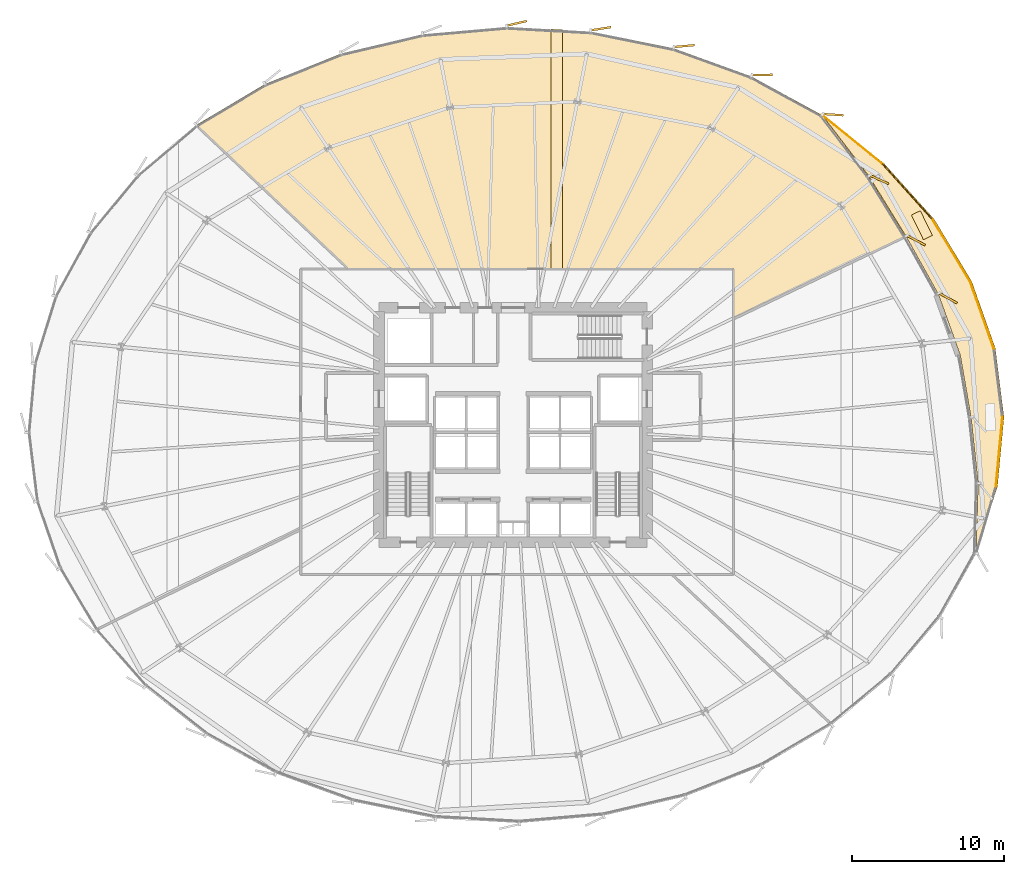
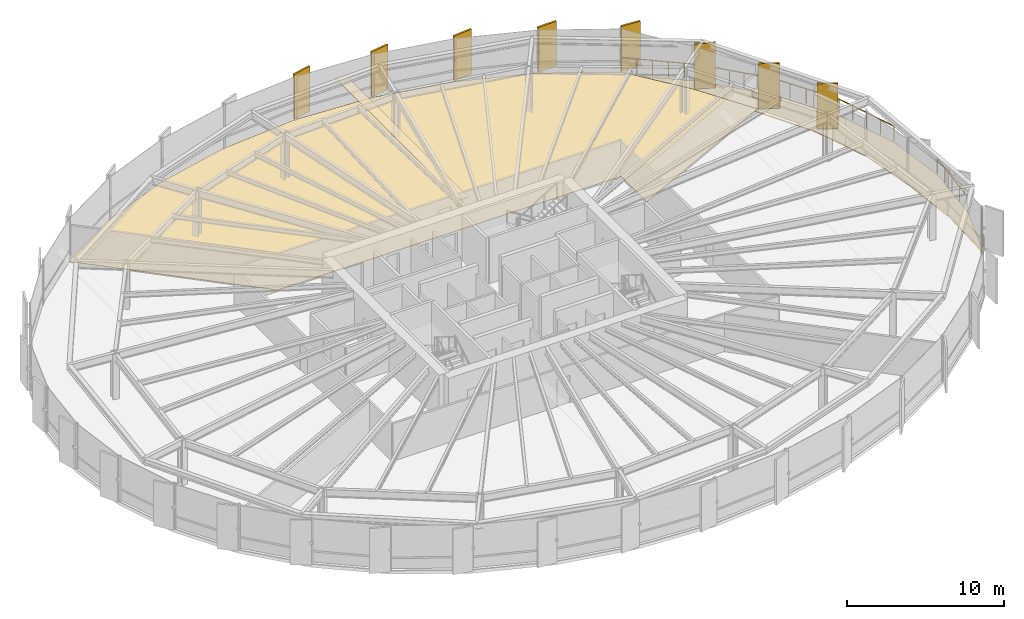
# One storey, part 39 of 39: 12 coverings, 5 railings.
"""IFC4 building model written with IfcOpenShell, lengths in metres."""

from ifc_helpers import new_model, si_unit, direction, frame, origin, origin_2d, place, context, subcontext, project, spatial, polyline, rectangle, circle, outline, extrude, source, transform, mapped, material, layer, layer_set, type_object, element, save


model = new_model("IFC4")

# Units and contexts
model_context = context("Model", 3, precision=1e-05, world=origin(), true_north=direction((0.0, 1.0)))
body_context = subcontext(model_context, "Body", "Model", "MODEL_VIEW")
ifc_project = project(units=[si_unit("LENGTHUNIT", "METRE"), si_unit("AREAUNIT", "SQUARE_METRE"), si_unit("VOLUMEUNIT", "CUBIC_METRE"), si_unit("PLANEANGLEUNIT", "RADIAN"), si_unit("MASSUNIT", "GRAM", prefix="KILO"), si_unit("THERMODYNAMICTEMPERATUREUNIT", "KELVIN")], contexts=[model_context])

# Site, building, storey
site_placement = place(None, origin())
site = spatial("IfcSite", under=ifc_project, at=site_placement, CompositionType="ELEMENT")
building_placement = place(site_placement, origin())
building = spatial("IfcBuilding", under=site, at=building_placement, Name="Kethvar Cultural Tower", CompositionType="ELEMENT")
storey_placement = place(building_placement, frame((0.0, 0.0, 33.39990234375)))
storey = spatial("IfcBuildingStorey", under=building, at=storey_placement, Name="L07", CompositionType="ELEMENT", Elevation=33.39990234375)

# Coverings
ifc_material_1 = material(Name="Acoustic Mineral Fibre Ceiling")
ifc_layer_1 = layer(ifc_material_1, 0.0400390625, Name="Acoustic Mineral Fibre Ceiling")
ifc_layer_set_1 = layer_set([ifc_layer_1], Name="Acoustic Mineral Fibre Ceiling (40 mm)")
covering_type_1 = type_object("IfcCoveringType", Name="CV-ACOUSTIC-CEIL", PredefinedType="CEILING", material=ifc_layer_set_1)
covering_1_placement = place(storey_placement, frame((0.0, 0.0, 2.340087890625)))
element("IfcCovering", 1, at=covering_1_placement, inside=storey, type_object=covering_type_1, Name="L07 Room 03 Acoustic Ceiling Panel", PredefinedType="CEILING", context=body_context, shape_type="SweptSolid", body=[
    extrude(outline(polyline([(50.0341796875, 53.75439453125), (50.0341796875, 38.02001953125), (49.2841796875, 38.02001953125), (49.2841796875, 53.79638671875), (50.0341796875, 53.75439453125)])), origin(), (0.0, 0.0, 1.0), 0.0400390625),
])
ifc_material_2 = material(Name="Architectural Oak Timber", Category="wood")
ifc_layer_2 = layer(ifc_material_2, 0.02490234375, Name="Architectural Oak Timber", Category="wood")
ifc_layer_set_2 = layer_set([ifc_layer_2], Name="Architectural Oak Timber (25 mm)")
covering_type_2 = type_object("IfcCoveringType", Name="CV-OAK-FLOOR", PredefinedType="FLOORING", material=ifc_layer_set_2)
covering_2_placement = place(storey_placement, origin())
element("IfcCovering", 2, at=covering_2_placement, inside=storey, type_object=covering_type_2, Name="L07 Room 03 Floor Finish", PredefinedType="FLOORING", context=body_context, shape_type="SweptSolid", body=[
    extrude(outline(polyline([(26.023681640625, 47.497314453125), (30.510986328125, 50.167724609375), (35.51513671875, 52.17138671875), (40.8623046875, 53.43408203125), (46.3896484375, 53.91796875), (51.93408203125, 53.608154296875), (57.337890625, 52.51416015625), (62.440185546875, 50.669189453125), (67.0830078125, 48.131103515625), (70.147216796875, 44.130126953125), (72.56787109375, 40.20458984375), (61.2900390625, 34.78515625), (61.27197265625, 38.059814453125), (35.99169921875, 38.06005859375), (26.023681640625, 47.497314453125)])), origin(), (0.0, 0.0, 1.0), 0.025146484375),
])
ifc_material_3 = material(Name="Insulated Waterproofing Membrane")
ifc_layer_3 = layer(ifc_material_3, 0.06005859375, Name="Insulated Waterproofing Membrane")
ifc_layer_set_3 = layer_set([ifc_layer_3], Name="Insulated Waterproofing Membrane (60 mm)")
covering_type_3 = type_object("IfcCoveringType", Name="CV-ROOF-MEMB", PredefinedType="ROOFING", material=ifc_layer_set_3)
covering_3_placement = place(storey_placement, frame((0.0, 0.0, -0.27490234375)))
element("IfcCovering", 3, at=covering_3_placement, inside=storey, type_object=covering_type_3, Name="L07 Terrace Waterproofing", PredefinedType="ROOFING", context=body_context, shape_type="SweptSolid", body=[
    extrude(outline(polyline([(77.201416015625, 19.335693359375), (78.608154296875, 23.759765625), (79.0341796875, 28.306396484375), (78.465576171875, 32.83740234375), (76.920654296875, 37.215087890625), (74.45166015625, 41.306640625), (71.140625, 44.98779296875), (67.09619140625, 48.146728515625), (70.163818359375, 44.1416015625), (72.596435546875, 40.1962890625), (74.725341796875, 36.376708984375), (76.157958984375, 32.39306640625), (76.87255859375, 28.2724609375), (77.331787109375, 23.964111328125), (77.201416015625, 19.335693359375)])), origin(), (0.0, 0.0, 1.0), 0.06005859375),
])

# Railings
ifc_material_4 = material(Name="Steel S355J2", Category="steel")
railing_type = type_object("IfcRailingType", Name="RL-EXT-GUARD-1150", PredefinedType="BALUSTRADE", material=ifc_material_4)
railing_1_placement = place(storey_placement, frame((78.5087890625, 23.772216796875, 0.0)))
element("IfcRailing", 4, at=railing_1_placement, inside=storey, type_object=railing_type, Name="L07 Spiralling Terrace Balustrade 02", PredefinedType="BALUSTRADE", context=body_context, shape_type="SweptSolid", body=[
    extrude(circle(Radius=0.02392578125, at=origin_2d()), frame((0.0, 0.0, 1.1259765625), z_axis=(0.093475273435, 0.995621601441, 0.0), x_axis=(-0.995621601441, 0.093475273435, 0.0)), (0.0, 0.0, 1.0), 4.552490234375),
    extrude(circle(Radius=0.02099609375, at=origin_2d()), origin(), (0.0, 0.0, 1.0), 1.101806640625),
    extrude(circle(Radius=0.02099609375, at=origin_2d()), frame((0.1064453125, 1.133056640625, 0.0)), (0.0, 0.0, 1.0), 1.101806640625),
    extrude(circle(Radius=0.02099609375, at=origin_2d()), frame((0.212890625, 2.26611328125, 0.0)), (0.0, 0.0, 1.0), 1.101806640625),
    extrude(circle(Radius=0.02099609375, at=origin_2d()), frame((0.319091796875, 3.3994140625, 0.0)), (0.0, 0.0, 1.0), 1.101806640625),
    extrude(circle(Radius=0.02099609375, at=origin_2d()), frame((0.425537109375, 4.532470703125, 0.0)), (0.0, 0.0, 1.0), 1.101806640625),
])
railing_2_placement = place(storey_placement, frame((78.36669921875, 32.82177734375, 0.0)))
element("IfcRailing", 5, at=railing_2_placement, inside=storey, type_object=railing_type, Name="L07 Spiralling Terrace Balustrade 04", PredefinedType="BALUSTRADE", context=body_context, shape_type="SweptSolid", body=[
    extrude(circle(Radius=0.02392578125, at=origin_2d()), frame((0.0, 0.0, 1.1259765625), z_axis=(-0.33309605353, 0.942892899073, 0.0), x_axis=(-0.942892899073, -0.33309605353, 0.0)), (0.0, 0.0, 1.0), 4.627685546875),
    extrude(circle(Radius=0.02099609375, at=origin_2d()), origin(), (0.0, 0.0, 1.0), 1.101806640625),
    extrude(circle(Radius=0.02099609375, at=origin_2d()), frame((-0.38525390625, 1.0908203125, 0.0)), (0.0, 0.0, 1.0), 1.101806640625),
    extrude(circle(Radius=0.02099609375, at=origin_2d()), frame((-0.770751953125, 2.181640625, 0.0)), (0.0, 0.0, 1.0), 1.101806640625),
    extrude(circle(Radius=0.02099609375, at=origin_2d()), frame((-1.15625, 3.272705078125, 0.0)), (0.0, 0.0, 1.0), 1.101806640625),
    extrude(circle(Radius=0.02099609375, at=origin_2d()), frame((-1.54150390625, 4.363525390625, 0.0)), (0.0, 0.0, 1.0), 1.101806640625),
])
railing_3_placement = place(storey_placement, frame((76.8251953125, 37.185302734375, 0.0)))
element("IfcRailing", 6, at=railing_3_placement, inside=storey, type_object=railing_type, Name="L07 Spiralling Terrace Balustrade 05", PredefinedType="BALUSTRADE", context=body_context, shape_type="SweptSolid", body=[
    extrude(circle(Radius=0.02392578125, at=origin_2d()), frame((0.0, 0.0, 1.1259765625), z_axis=(-0.517108600216, 0.855919795064, 0.0), x_axis=(-0.855919795064, -0.517108600216, 0.0)), (0.0, 0.0, 1.0), 4.763671875),
    extrude(circle(Radius=0.02099609375, at=origin_2d()), origin(), (0.0, 0.0, 1.0), 1.101806640625),
    extrude(circle(Radius=0.02099609375, at=origin_2d()), frame((-0.61572265625, 1.019287109375, 0.0)), (0.0, 0.0, 1.0), 1.101806640625),
    extrude(circle(Radius=0.02099609375, at=origin_2d()), frame((-1.231689453125, 2.03857421875, 0.0)), (0.0, 0.0, 1.0), 1.101806640625),
    extrude(circle(Radius=0.02099609375, at=origin_2d()), frame((-1.84765625, 3.05810546875, 0.0)), (0.0, 0.0, 1.0), 1.101806640625),
    extrude(circle(Radius=0.02099609375, at=origin_2d()), frame((-2.46337890625, 4.077392578125, 0.0)), (0.0, 0.0, 1.0), 1.101806640625),
])
railing_4_placement = place(storey_placement, frame((74.36181640625, 41.2626953125, 0.0)))
element("IfcRailing", 7, at=railing_4_placement, inside=storey, type_object=railing_type, Name="L07 Spiralling Terrace Balustrade 06", PredefinedType="BALUSTRADE", context=body_context, shape_type="SweptSolid", body=[
    extrude(circle(Radius=0.02392578125, at=origin_2d()), frame((0.0, 0.0, 1.1259765625), z_axis=(-0.669213404521, 0.743070265324, 0.0), x_axis=(-0.743070265324, -0.669213404521, 0.0)), (0.0, 0.0, 1.0), 4.935302734375),
    extrude(circle(Radius=0.02099609375, at=origin_2d()), origin(), (0.0, 0.0, 1.0), 1.101806640625),
    extrude(circle(Radius=0.02099609375, at=origin_2d()), frame((-0.66064453125, 0.7333984375, 0.0)), (0.0, 0.0, 1.0), 1.101806640625),
    extrude(circle(Radius=0.02099609375, at=origin_2d()), frame((-1.321044921875, 1.466796875, 0.0)), (0.0, 0.0, 1.0), 1.101806640625),
    extrude(circle(Radius=0.02099609375, at=origin_2d()), frame((-1.981689453125, 2.200439453125, 0.0)), (0.0, 0.0, 1.0), 1.101806640625),
    extrude(circle(Radius=0.02099609375, at=origin_2d()), frame((-2.64208984375, 2.933837890625, 0.0)), (0.0, 0.0, 1.0), 1.101806640625),
    extrude(circle(Radius=0.02099609375, at=origin_2d()), frame((-3.302734375, 3.667236328125, 0.0)), (0.0, 0.0, 1.0), 1.101806640625),
])
railing_5_placement = place(storey_placement, frame((71.05908203125, 44.929931640625, 0.0)))
element("IfcRailing", 8, at=railing_5_placement, inside=storey, type_object=railing_type, Name="L07 Spiralling Terrace Balustrade 07", PredefinedType="BALUSTRADE", context=body_context, shape_type="SweptSolid", body=[
    extrude(circle(Radius=0.02392578125, at=origin_2d()), frame((0.0, 0.0, 1.1259765625), z_axis=(-0.776406534912, 0.630232411533, 0.0), x_axis=(-0.630232411533, -0.776406534912, 0.0)), (0.0, 0.0, 1.0), 5.104248046875),
    extrude(circle(Radius=0.02099609375, at=origin_2d()), origin(), (0.0, 0.0, 1.0), 1.101806640625),
    extrude(circle(Radius=0.02099609375, at=origin_2d()), frame((-0.79248046875, 0.643310546875, 0.0)), (0.0, 0.0, 1.0), 1.101806640625),
    extrude(circle(Radius=0.02099609375, at=origin_2d()), frame((-1.585205078125, 1.28662109375, 0.0)), (0.0, 0.0, 1.0), 1.101806640625),
    extrude(circle(Radius=0.02099609375, at=origin_2d()), frame((-2.377685546875, 1.93017578125, 0.0)), (0.0, 0.0, 1.0), 1.101806640625),
    extrude(circle(Radius=0.02099609375, at=origin_2d()), frame((-3.17041015625, 2.573486328125, 0.0)), (0.0, 0.0, 1.0), 1.101806640625),
    extrude(circle(Radius=0.02099609375, at=origin_2d()), frame((-3.962890625, 3.216796875, 0.0)), (0.0, 0.0, 1.0), 1.101806640625),
])

# Coverings
ifc_material_5 = material(Name="Extruded Architectural Terracotta", Category="masonry")
ifc_layer_4 = layer(ifc_material_5, 0.135009765625, Name="Extruded Architectural Terracotta", Category="masonry")
ifc_layer_set_4 = layer_set([ifc_layer_4], Name="Extruded Architectural Terracotta (135 mm)")
covering_type_4 = type_object("IfcCoveringType", Name="Terracotta Facade Fin FIN-01", PredefinedType="CLADDING", material=ifc_layer_set_4)
shared_shape_1 = source(origin(), body_context, "Body", "SweptSolid", [
    extrude(rectangle(XDim=1.35009765625, YDim=0.135009765625, at=origin_2d()), origin(), (0.0, 0.0, 1.0), 3.510009765625),
])
for number, where, z_axis, x_axis, name in (
    (9, (75.36376953125, 36.123291015625, 0.02001953125), (0.0, 0.0, 1.0), (0.87292207727, -0.487859659139, 0.0), "L07 Vertical Terracotta Fin 2.1"),
    (10, (73.259765625, 39.919921875, 0.02001953125), (0.0, 0.0, 1.0), (0.881715494774, -0.471781502685, 0.0), "L07 Vertical Terracotta Fin 2.2"),
    (11, (70.841064453125, 43.9091796875, 0.02001953125), (0.0, 0.0, 1.0), (0.909308749903, -0.416122094283, 0.0), "L07 Vertical Terracotta Fin 2.3"),
    (12, (67.80810546875, 48.173095703125, 0.02001953125), (0.0, 0.0, 1.0), (0.997881692444, -0.065054806779, 0.0), "L07 Vertical Terracotta Fin 2.4"),
    (13, (63.150390625, 50.778564453125, 0.02001953125), (0.0, 0.0, 1.0), (0.999730593221, 0.023210794445, 0.0), "L07 Vertical Terracotta Fin 2.5"),
    (14, (58.031005859375, 52.675048828125, 0.02001953125), (0.0, 0.0, 1.0), (0.995594753948, 0.093760790908, 0.0), "L07 Vertical Terracotta Fin 2.6"),
    (15, (52.56591796875, 53.814697265625, 0.02001953125), (0.0, 0.0, 1.0), (0.987932848666, 0.154882815468, 0.0), "L07 Vertical Terracotta Fin 3.1"),
    (16, (47.0400390625, 54.169677734375, 0.02001953125), (0.0, 0.0, 1.0), (0.974330788579, 0.225121110574, 0.0), "L07 Vertical Terracotta Fin 3.2"),
):
    element("IfcCovering", number, at=place(storey_placement, frame(where, z_axis=z_axis, x_axis=x_axis)), inside=storey, type_object=covering_type_4, Name=name, PredefinedType="CLADDING", context=body_context, shape_type="MappedRepresentation", body=[
        mapped(shared_shape_1, transform((0.0, 0.0, 0.0), scale=1.0)),
    ])
ifc_layer_5 = layer(ifc_material_5, 0.419921875, Name="Extruded Architectural Terracotta", Category="masonry")
ifc_layer_set_5 = layer_set([ifc_layer_5], Name="Extruded Architectural Terracotta (420 mm)")
covering_type_5 = type_object("IfcCoveringType", Name="Terracotta Terrace Planter PLANTER-01", PredefinedType="USERDEFINED", material=ifc_layer_set_5)
shared_shape_2 = source(origin(), body_context, "Body", "SweptSolid", [
    extrude(rectangle(XDim=1.800048828125, YDim=0.64990234375, at=origin_2d()), origin(), (0.0, 0.0, 1.0), 0.419921875),
])
covering_4_placement = place(storey_placement, frame((73.642822265625, 40.91162109375, 0.000244140625), z_axis=(0.0, 0.0, 1.0), x_axis=(-0.438841694139, 0.898564392509, 0.0)))
element("IfcCovering", 17, at=covering_4_placement, inside=storey, type_object=covering_type_5, Name="L07 Sky Terrace Planter Box B", ObjectType="PLANTER", PredefinedType="USERDEFINED", context=body_context, shape_type="MappedRepresentation", body=[
    mapped(shared_shape_2, transform((0.0, 0.0, 0.0), scale=1.0)),
])

save(model, "model.ifc")
